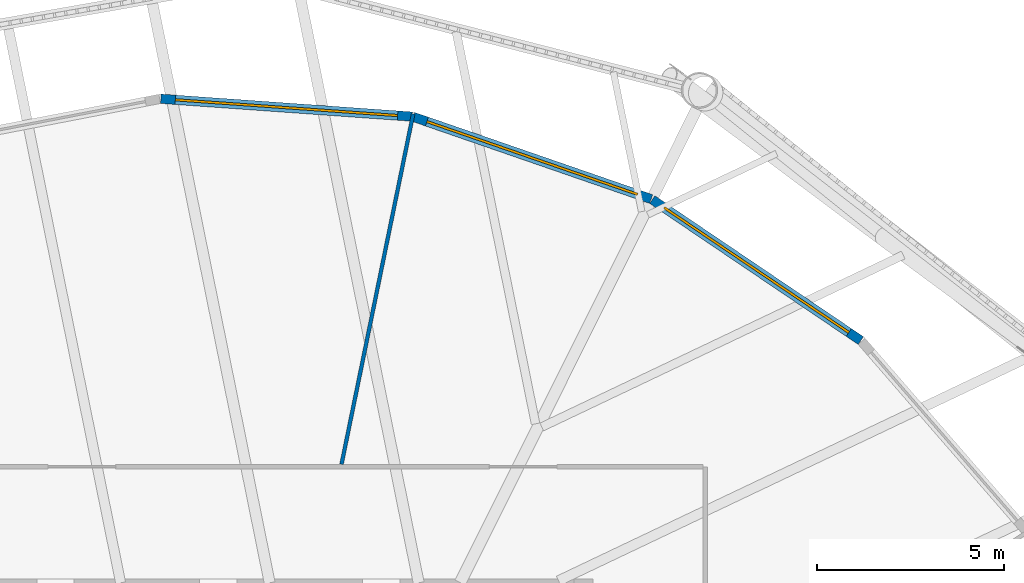
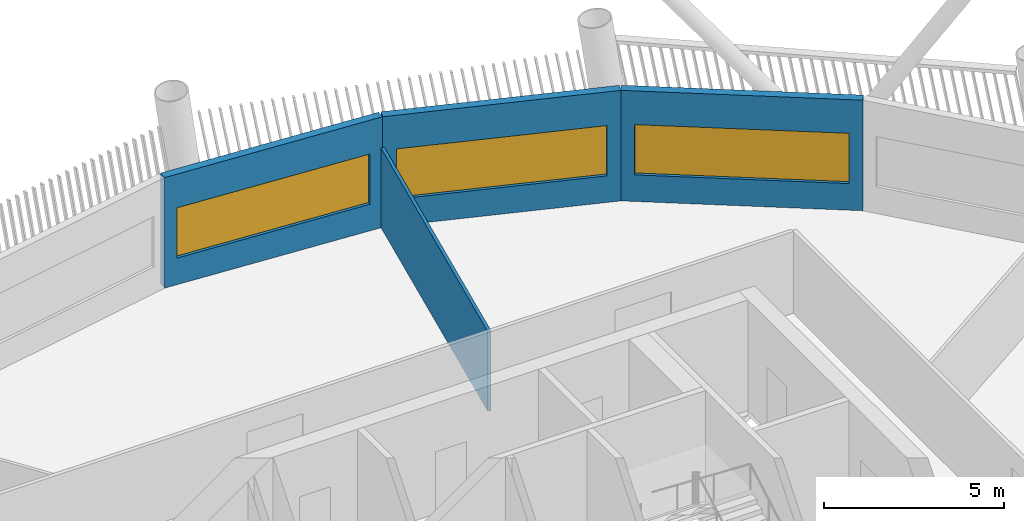
# One storey, part 7 of 21: 4 walls, 3 windows, 3 openings.
"""IFC4 building model written with IfcOpenShell, lengths in metres."""

from ifc_helpers import new_model, si_unit, direction, frame, frame_2d, origin, place, context, subcontext, project, spatial, rectangle, extrude, material, layer, layer_set, type_object, element, fill, save


model = new_model("IFC4")

# Units and contexts
model_context = context("Model", 3, precision=1e-05, world=origin(), true_north=direction((0.0, 1.0)))
body_context = subcontext(model_context, "Body", "Model", "MODEL_VIEW")
ifc_project = project(units=[si_unit("LENGTHUNIT", "METRE"), si_unit("AREAUNIT", "SQUARE_METRE"), si_unit("VOLUMEUNIT", "CUBIC_METRE"), si_unit("PLANEANGLEUNIT", "RADIAN"), si_unit("MASSUNIT", "GRAM", prefix="KILO")], contexts=[model_context])

# Site, building, storey
site_placement = place(None, origin())
site = spatial("IfcSite", under=ifc_project, at=site_placement, CompositionType="ELEMENT")
building_placement = place(site_placement, origin())
building = spatial("IfcBuilding", under=site, at=building_placement, Name="Tarsis Ring Headquarters", CompositionType="ELEMENT")
storey_placement = place(building_placement, frame((0.0, 0.0, 331.39990234375)))
storey = spatial("IfcBuildingStorey", under=building, at=storey_placement, Name="L78", CompositionType="ELEMENT", Elevation=331.39990234375)

# Wall
ifc_material_1 = material(Name="Gypsum board on steel studs", Category="steel")
ifc_layer_1 = layer(ifc_material_1, 0.10009765625)
ifc_layer_set_1 = layer_set([ifc_layer_1], Name="FL partition 100 unrated")
wall_type_1 = type_object("IfcWallType", Name="FL partition 100 unrated", PredefinedType="PARTITIONING", material=ifc_layer_set_1)
wall_1_placement = place(storey_placement, frame((3.28662109375, 16.068603515625, 0.0), z_axis=(0.0, 0.0, 1.0), x_axis=(0.200397909807, 0.979714589942, 0.0)))
element("IfcWall", 1, at=wall_1_placement, inside=storey, type_object=wall_type_1, Name="Partition PW3", PredefinedType="PARTITIONING", context=body_context, shape_type="SweptSolid", body=[
    extrude(rectangle(XDim=9.54638671875, YDim=0.10009765625, at=frame_2d((4.773193359375, 0.0))), origin(), (0.0, 0.0, 1.0), 2.7001953125),
])

# Wall, opening, window
ifc_material_2 = material(Name="Terracotta clad insulated panel wall", Category="masonry")
ifc_layer_2 = layer(ifc_material_2, 0.25)
ifc_layer_set_2 = layer_set([ifc_layer_2], Name="Facade wall terracotta panel 250")
wall_type_2 = type_object("IfcWallType", Name="Facade wall terracotta panel 250", PredefinedType="STANDARD", material=ifc_layer_set_2)
wall_2_placement = place(storey_placement, frame((17.151123046875, 19.36962890625, 0.0), z_axis=(0.0, 0.0, 1.0), x_axis=(-0.828450956871, 0.560061614521, 0.0)))
wall_2 = element("IfcWall", 2, at=wall_2_placement, inside=storey, type_object=wall_type_2, Name="External wall L78-23", PredefinedType="STANDARD", context=body_context, shape_type="SweptSolid", body=[
    extrude(rectangle(XDim=6.721435546875, YDim=0.25, at=frame_2d((3.36083984375, 0.0))), origin(), (0.0, 0.0, 1.0), 3.739990234375),
])
opening_1_placement = place(wall_2_placement, frame((0.3857421875, 0.0, 0.89990234375)))
opening_1 = element("IfcOpeningElement", 3, at=opening_1_placement, cuts=wall_2, Name="Opening WN07", PredefinedType="OPENING", context=body_context, shape_type="SweptSolid", body=[
    extrude(rectangle(XDim=5.949951171875, YDim=1.699951171875, at=frame_2d((2.97509765625, 0.85009765625))), frame((0.0, 0.135009765625, 0.0), z_axis=(0.0, -1.0, 0.0), x_axis=(1.0, 0.0, 0.0)), (0.0, 0.0, 1.0), 0.27001953125),
])
ifc_material_3 = material(Name="Aluminium framed double glazing", Category="aluminium")
window_type = type_object("IfcWindowType", Name="Facade window 5950 x 1700", PartitioningType="SINGLE_PANEL", PredefinedType="WINDOW", material=ifc_material_3)
window_1_placement = place(opening_1_placement, origin())
window_1 = element("IfcWindow", 4, at=window_1_placement, inside=storey, type_object=window_type, Name="Window L78-23.1", OverallHeight=1.699951171875, OverallWidth=5.949951171875, PartitioningType="SINGLE_PANEL", PredefinedType="WINDOW", context=body_context, shape_type="SweptSolid", body=[
    extrude(rectangle(XDim=5.949951171875, YDim=1.699951171875, at=frame_2d((2.97509765625, 0.85009765625))), frame((0.0, 0.030029296875, 0.0), z_axis=(0.0, -1.0, 0.0), x_axis=(1.0, 0.0, 0.0)), (0.0, 0.0, 1.0), 0.06005859375),
])
fill(opening_1, window_1)

wall_3_placement = place(storey_placement, frame((11.553466796875, 23.148681640625, 0.0), z_axis=(0.0, 0.0, 1.0), x_axis=(-0.945172472133, 0.326571581621, 0.0)))
wall_3 = element("IfcWall", 5, at=wall_3_placement, inside=storey, type_object=wall_type_2, Name="External wall L78-24", PredefinedType="STANDARD", context=body_context, shape_type="SweptSolid", body=[
    extrude(rectangle(XDim=6.721435546875, YDim=0.25, at=frame_2d((3.36083984375, 0.0))), origin(), (0.0, 0.0, 1.0), 3.739990234375),
])
opening_2_placement = place(wall_3_placement, frame((0.3857421875, 0.0, 0.89990234375)))
opening_2 = element("IfcOpeningElement", 6, at=opening_2_placement, cuts=wall_3, Name="Opening WN07", PredefinedType="OPENING", context=body_context, shape_type="SweptSolid", body=[
    extrude(rectangle(XDim=5.949951171875, YDim=1.699951171875, at=frame_2d((2.97509765625, 0.85009765625))), frame((0.0, 0.135009765625, 0.0), z_axis=(0.0, -1.0, 0.0), x_axis=(1.0, 0.0, 0.0)), (0.0, 0.0, 1.0), 0.27001953125),
])
window_2_placement = place(opening_2_placement, origin())
window_2 = element("IfcWindow", 7, at=window_2_placement, inside=storey, type_object=window_type, Name="Window L78-24.1", OverallHeight=1.699951171875, OverallWidth=5.949951171875, PartitioningType="SINGLE_PANEL", PredefinedType="WINDOW", context=body_context, shape_type="SweptSolid", body=[
    extrude(rectangle(XDim=5.949951171875, YDim=1.699951171875, at=frame_2d((2.97509765625, 0.85009765625))), frame((0.0, 0.030029296875, 0.0), z_axis=(0.0, -1.0, 0.0), x_axis=(1.0, 0.0, 0.0)), (0.0, 0.0, 1.0), 0.06005859375),
])
fill(opening_2, window_2)

wall_4_placement = place(storey_placement, frame((5.16845703125, 25.350341796875, 0.0), z_axis=(0.0, 0.0, 1.0), x_axis=(-0.997491047011, 0.070792733618, 0.0)))
wall_4 = element("IfcWall", 8, at=wall_4_placement, inside=storey, type_object=wall_type_2, Name="External wall L78-25", PredefinedType="STANDARD", context=body_context, shape_type="SweptSolid", body=[
    extrude(rectangle(XDim=6.721435546875, YDim=0.25, at=frame_2d((3.36083984375, 0.0))), origin(), (0.0, 0.0, 1.0), 3.739990234375),
])
opening_3_placement = place(wall_4_placement, frame((0.3857421875, 0.0, 0.89990234375)))
opening_3 = element("IfcOpeningElement", 9, at=opening_3_placement, cuts=wall_4, Name="Opening WN07", PredefinedType="OPENING", context=body_context, shape_type="SweptSolid", body=[
    extrude(rectangle(XDim=5.949951171875, YDim=1.699951171875, at=frame_2d((2.97509765625, 0.85009765625))), frame((0.0, 0.135009765625, 0.0), z_axis=(0.0, -1.0, 0.0), x_axis=(1.0, 0.0, 0.0)), (0.0, 0.0, 1.0), 0.27001953125),
])
window_3_placement = place(opening_3_placement, origin())
window_3 = element("IfcWindow", 10, at=window_3_placement, inside=storey, type_object=window_type, Name="Window L78-25.1", OverallHeight=1.699951171875, OverallWidth=5.949951171875, PartitioningType="SINGLE_PANEL", PredefinedType="WINDOW", context=body_context, shape_type="SweptSolid", body=[
    extrude(rectangle(XDim=5.949951171875, YDim=1.699951171875, at=frame_2d((2.97509765625, 0.85009765625))), frame((0.0, 0.030029296875, 0.0), z_axis=(0.0, -1.0, 0.0), x_axis=(1.0, 0.0, 0.0)), (0.0, 0.0, 1.0), 0.06005859375),
])
fill(opening_3, window_3)

save(model, "model.ifc")
